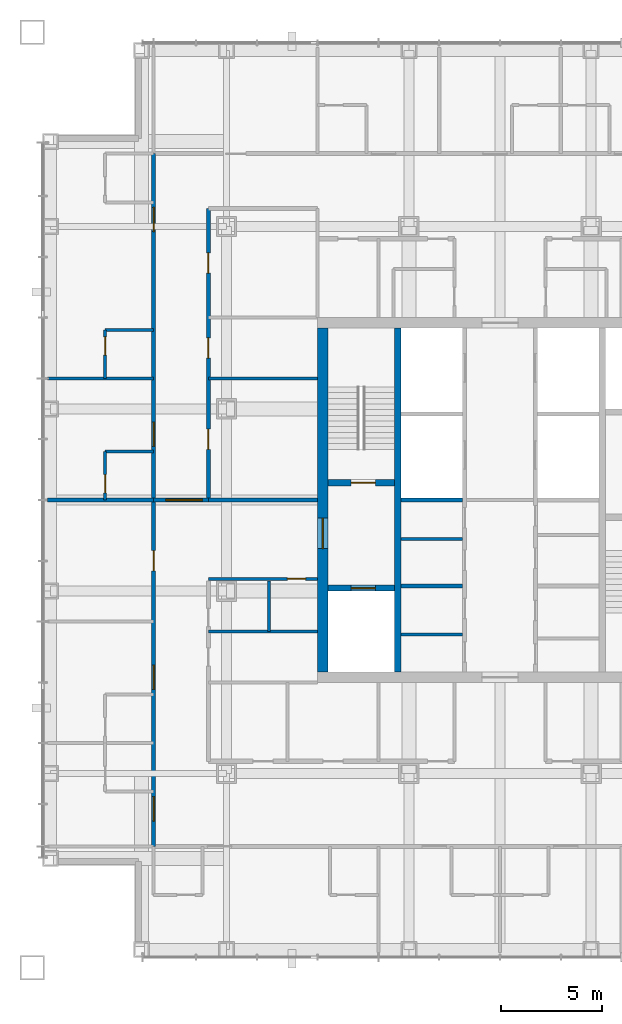
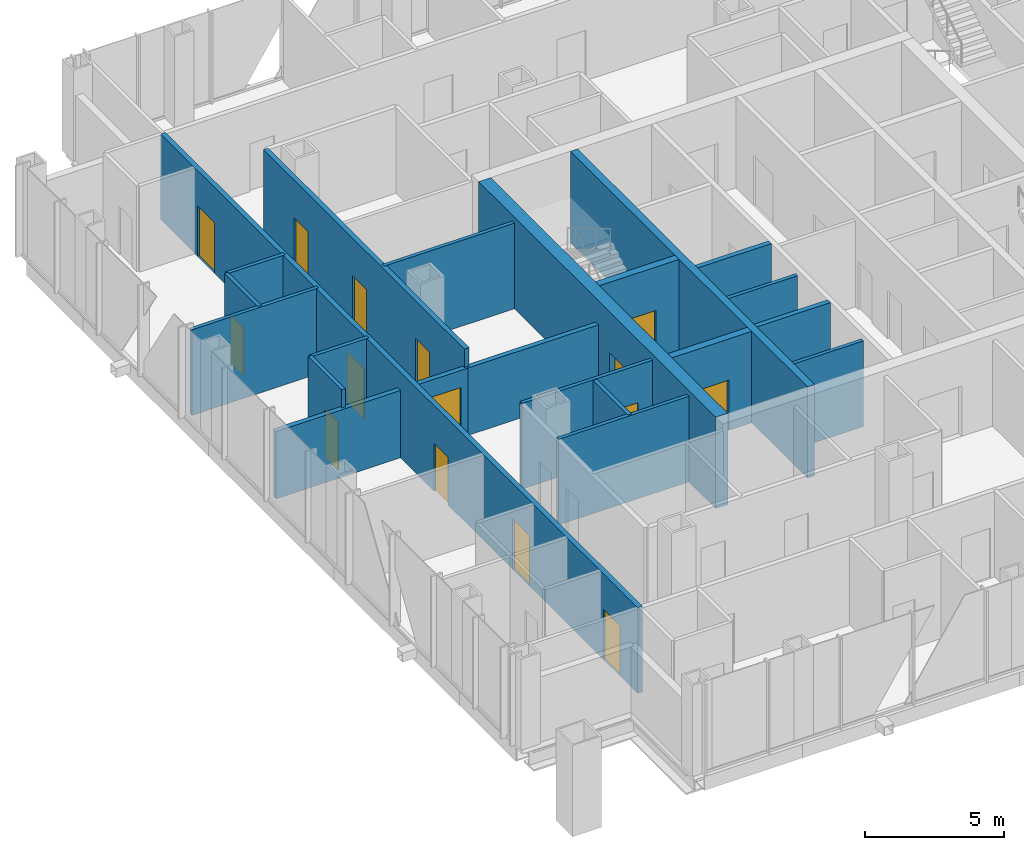
# One storey, part 12 of 21: 22 walls, 15 doors, 15 openings.
"""IFC4 building model written with IfcOpenShell, lengths in metres."""

from ifc_helpers import new_model, si_unit, direction, frame, frame_2d, origin, place, context, subcontext, project, spatial, rectangle, extrude, material, layer, layer_set, type_object, element, fill, save


model = new_model("IFC4")

# Units and contexts
model_context = context("Model", 3, precision=1e-05, world=origin(), true_north=direction((0.0, 1.0)))
body_context = subcontext(model_context, "Body", "Model", "MODEL_VIEW")
ifc_project = project(units=[si_unit("LENGTHUNIT", "METRE"), si_unit("AREAUNIT", "SQUARE_METRE"), si_unit("VOLUMEUNIT", "CUBIC_METRE"), si_unit("PLANEANGLEUNIT", "RADIAN"), si_unit("MASSUNIT", "GRAM", prefix="KILO")], contexts=[model_context])

# Site, building, storey
site_placement = place(None, origin())
site = spatial("IfcSite", under=ifc_project, at=site_placement, CompositionType="ELEMENT")
building_placement = place(site_placement, origin())
building = spatial("IfcBuilding", under=site, at=building_placement, Name="Malebo Sky Hospital", CompositionType="ELEMENT")
storey_placement = place(building_placement, frame((0.0, 0.0, 229.0)))
storey = spatial("IfcBuildingStorey", under=building, at=storey_placement, Name="L55", CompositionType="ELEMENT", Elevation=229.0)

# Walls
ifc_material_1 = material(Name="Concrete C80/95", Category="concrete")
ifc_layer_1 = layer(ifc_material_1, 0.199951171875)
ifc_layer_set_1 = layer_set([ifc_layer_1], Name="CORE INNER WALL 200")
wall_type_1 = type_object("IfcWallType", Name="CORE INNER WALL 200", PredefinedType="SHEAR", material=ifc_layer_set_1)
for number, where, z_axis, x_axis, name in (
    (1, (55.10009765625, 57.75, 0.0), (0.0, 0.0, 1.0), (1.0, 0.0, 0.0), "Core wall SW0 L55"),
    (2, (55.10009765625, 62.0, 0.0), (0.0, 0.0, 1.0), (1.0, 0.0, 0.0), "Core wall SW1 L55"),
):
    element("IfcWall", number, at=place(storey_placement, frame(where, z_axis=z_axis, x_axis=x_axis)), inside=storey, type_object=wall_type_1, Name=name, PredefinedType="SHEAR", context=body_context, shape_type="SweptSolid", body=[
        extrude(rectangle(XDim=3.0498046875, YDim=0.199951171875, at=frame_2d((1.52490234375, 0.0))), origin(), (0.0, 0.0, 1.0), 4.0),
    ])
ifc_layer_2 = layer(ifc_material_1, 0.300048828125)
ifc_layer_set_2 = layer_set([ifc_layer_2], Name="CORE INNER WALL 300")
wall_type_2 = type_object("IfcWallType", Name="CORE INNER WALL 300", PredefinedType="SHEAR", material=ifc_layer_set_2)
wall_1_placement = place(storey_placement, frame((54.949951171875, 53.5, 0.0), z_axis=(0.0, 0.0, 1.0), x_axis=(0.0, 1.0, 0.0)))
element("IfcWall", 3, at=wall_1_placement, inside=storey, type_object=wall_type_2, Name="Core wall XW L55", PredefinedType="SHEAR", context=body_context, shape_type="SweptSolid", body=[
    extrude(rectangle(XDim=17.0, YDim=0.300048828125, at=frame_2d((8.5, 0.0))), origin(), (0.0, 0.0, 1.0), 4.0),
])

# Wall, opening, door
wall_2_placement = place(storey_placement, frame((51.5, 62.85009765625, 0.0), z_axis=(0.0, 0.0, 1.0), x_axis=(1.0, 0.0, 0.0)))
wall_2 = element("IfcWall", 4, at=wall_2_placement, inside=storey, type_object=wall_type_2, Name="Core wall W1 L55", PredefinedType="SHEAR", context=body_context, shape_type="SweptSolid", body=[
    extrude(rectangle(XDim=3.300048828125, YDim=0.300048828125, at=frame_2d((1.64990234375, 0.0))), origin(), (0.0, 0.0, 1.0), 4.0),
])
opening_1_placement = place(wall_2_placement, frame((1.14990234375, 0.0, 0.0)))
opening_1 = element("IfcOpeningElement", 5, at=opening_1_placement, cuts=wall_2, Name="Opening D08", PredefinedType="OPENING", context=body_context, shape_type="SweptSolid", body=[
    extrude(rectangle(XDim=1.199951171875, YDim=2.10009765625, at=frame_2d((0.60009765625, 1.050048828125))), frame((0.0, 0.159912109375, 0.0), z_axis=(0.0, -1.0, 0.0), x_axis=(1.0, 0.0, 0.0)), (0.0, 0.0, 1.0), 0.320068359375),
])
ifc_material_2 = material(Name="Hardwood-faced door leaf in steel frame", Category="steel")
door_type_1 = type_object("IfcDoorType", Name="STAIR DOOR 1200", OperationType="SINGLE_SWING_LEFT", PredefinedType="DOOR", material=ifc_material_2)
door_1_placement = place(opening_1_placement, origin())
door_1 = element("IfcDoor", 6, at=door_1_placement, inside=storey, type_object=door_type_1, Name="Stair S1 door", OperationType="SINGLE_SWING_RIGHT", OverallHeight=2.10009765625, OverallWidth=1.199951171875, PredefinedType="DOOR", context=body_context, shape_type="SweptSolid", body=[
    extrude(rectangle(XDim=1.199951171875, YDim=2.10009765625, at=frame_2d((0.60009765625, 1.050048828125))), frame((0.0, 0.02490234375, 0.0), z_axis=(0.0, -1.0, 0.0), x_axis=(1.0, 0.0, 0.0)), (0.0, 0.0, 1.0), 0.050048828125),
])
fill(opening_1, door_1)

wall_3_placement = place(storey_placement, frame((51.5, 57.64990234375, 0.0), z_axis=(0.0, 0.0, 1.0), x_axis=(1.0, 0.0, 0.0)))
wall_3 = element("IfcWall", 7, at=wall_3_placement, inside=storey, type_object=wall_type_2, Name="Core wall W2 L55", PredefinedType="SHEAR", context=body_context, shape_type="SweptSolid", body=[
    extrude(rectangle(XDim=3.300048828125, YDim=0.300048828125, at=frame_2d((1.64990234375, 0.0))), origin(), (0.0, 0.0, 1.0), 4.0),
])
opening_2_placement = place(wall_3_placement, frame((1.14990234375, 0.0, 0.0)))
opening_2 = element("IfcOpeningElement", 8, at=opening_2_placement, cuts=wall_3, Name="Opening LD2", PredefinedType="OPENING", context=body_context, shape_type="SweptSolid", body=[
    extrude(rectangle(XDim=1.199951171875, YDim=2.199951171875, at=frame_2d((0.60009765625, 1.10009765625))), frame((0.0, 0.159912109375, 0.0), z_axis=(0.0, -1.0, 0.0), x_axis=(1.0, 0.0, 0.0)), (0.0, 0.0, 1.0), 0.320068359375),
])
ifc_material_3 = material(Name="Stainless steel sliding landing door", Category="steel")
door_type_2 = type_object("IfcDoorType", Name="FIRE-FIGHTING LIFT LANDING DOOR 1200", OperationType="SLIDING_TO_LEFT", PredefinedType="DOOR", material=ifc_material_3)
door_2_placement = place(opening_2_placement, origin())
door_2 = element("IfcDoor", 9, at=door_2_placement, inside=storey, type_object=door_type_2, Name="Lift FL1 landing door", OperationType="SLIDING_TO_LEFT", OverallHeight=2.199951171875, OverallWidth=1.199951171875, PredefinedType="DOOR", context=body_context, shape_type="SweptSolid", body=[
    extrude(rectangle(XDim=1.199951171875, YDim=2.199951171875, at=frame_2d((0.60009765625, 1.10009765625))), frame((0.0, 0.02490234375, 0.0), z_axis=(0.0, -1.0, 0.0), x_axis=(1.0, 0.0, 0.0)), (0.0, 0.0, 1.0), 0.050048828125),
])
fill(opening_2, door_2)

ifc_layer_3 = layer(ifc_material_1, 0.5)
ifc_layer_set_3 = layer_set([ifc_layer_3], Name="CORE WALL 500")
wall_type_3 = type_object("IfcWallType", Name="CORE WALL 500", PredefinedType="SHEAR", material=ifc_layer_set_3)
wall_4_placement = place(storey_placement, frame((51.25, 53.5, 0.0), z_axis=(0.0, 0.0, 1.0), x_axis=(0.0, 1.0, 0.0)))
wall_4 = element("IfcWall", 10, at=wall_4_placement, inside=storey, type_object=wall_type_3, Name="Core wall W L55", PredefinedType="SHEAR", context=body_context, shape_type="SweptSolid", body=[
    extrude(rectangle(XDim=17.0, YDim=0.5, at=frame_2d((8.5, 0.0))), origin(), (0.0, 0.0, 1.0), 4.0),
])
opening_3_placement = place(wall_4_placement, frame((6.10009765625, 0.0, 0.0)))
opening_3 = element("IfcOpeningElement", 11, at=opening_3_placement, cuts=wall_4, Name="Opening D07", PredefinedType="OPENING", context=body_context, shape_type="SweptSolid", body=[
    extrude(rectangle(XDim=1.5, YDim=2.199951171875, at=frame_2d((0.75, 1.10009765625))), frame((0.0, 0.260009765625, 0.0), z_axis=(0.0, -1.0, 0.0), x_axis=(1.0, 0.0, 0.0)), (0.0, 0.0, 1.0), 0.52001953125),
])
door_type_3 = type_object("IfcDoorType", Name="FIRE-FIGHTING LOBBY DOOR PAIR 1500", OperationType="DOUBLE_DOOR_SINGLE_SWING", PredefinedType="DOOR", material=ifc_material_2)
door_3_placement = place(opening_3_placement, origin())
door_3 = element("IfcDoor", 12, at=door_3_placement, inside=storey, type_object=door_type_3, Name="Fire-fighting lobby door west", OperationType="DOUBLE_DOOR_SINGLE_SWING", OverallHeight=2.199951171875, OverallWidth=1.5, PredefinedType="DOOR", context=body_context, shape_type="SweptSolid", body=[
    extrude(rectangle(XDim=1.5, YDim=2.199951171875, at=frame_2d((0.75, 1.10009765625))), frame((0.0, 0.02490234375, 0.0), z_axis=(0.0, -1.0, 0.0), x_axis=(1.0, 0.0, 0.0)), (0.0, 0.0, 1.0), 0.050048828125),
])
fill(opening_3, door_3)

# Wall, openings, doors
ifc_material_4 = material(Name="Gypsum board on steel studs", Category="steel")
ifc_layer_4 = layer(ifc_material_4, 0.199951171875)
ifc_layer_set_4 = layer_set([ifc_layer_4], Name="CORRIDOR WALL 200")
wall_type_4 = type_object("IfcWallType", Name="CORRIDOR WALL 200", PredefinedType="PARTITIONING", material=ifc_layer_set_4)
wall_5_placement = place(storey_placement, frame((42.89990234375, 44.89990234375, 0.0), z_axis=(0.0, 0.0, 1.0), x_axis=(0.0, 1.0, 0.0)))
wall_5 = element("IfcWall", 13, at=wall_5_placement, inside=storey, type_object=wall_type_4, Name="Corridor Wall 200 WCO", PredefinedType="PARTITIONING", context=body_context, shape_type="SweptSolid", body=[
    extrude(rectangle(XDim=34.2001953125, YDim=0.199951171875, at=frame_2d((17.10009765625, 0.0))), origin(), (0.0, 0.0, 1.0), 3.75),
])
opening_4_placement = place(wall_5_placement, frame((1.25, 0.0, 0.0)))
opening_4 = element("IfcOpeningElement", 14, at=opening_4_placement, cuts=wall_5, Name="Opening D01", PredefinedType="OPENING", context=body_context, shape_type="SweptSolid", body=[
    extrude(rectangle(XDim=1.199951171875, YDim=2.199951171875, at=frame_2d((0.60009765625, 1.10009765625))), frame((0.0, 0.10986328125, 0.0), z_axis=(0.0, -1.0, 0.0), x_axis=(1.0, 0.0, 0.0)), (0.0, 0.0, 1.0), 0.219970703125),
])
opening_5_placement = place(wall_5_placement, frame((7.75, 0.0, 0.0)))
opening_5 = element("IfcOpeningElement", 15, at=opening_5_placement, cuts=wall_5, Name="Opening D01", PredefinedType="OPENING", context=body_context, shape_type="SweptSolid", body=[
    extrude(rectangle(XDim=1.199951171875, YDim=2.199951171875, at=frame_2d((0.60009765625, 1.10009765625))), frame((0.0, 0.10986328125, 0.0), z_axis=(0.0, -1.0, 0.0), x_axis=(1.0, 0.0, 0.0)), (0.0, 0.0, 1.0), 0.219970703125),
])
opening_6_placement = place(wall_5_placement, frame((13.60009765625, 0.0, 0.0)))
opening_6 = element("IfcOpeningElement", 16, at=opening_6_placement, cuts=wall_5, Name="Opening D03", PredefinedType="OPENING", context=body_context, shape_type="SweptSolid", body=[
    extrude(rectangle(XDim=1.0, YDim=2.10009765625, at=frame_2d((0.5, 1.050048828125))), frame((0.0, 0.10986328125, 0.0), z_axis=(0.0, -1.0, 0.0), x_axis=(1.0, 0.0, 0.0)), (0.0, 0.0, 1.0), 0.219970703125),
])
opening_7_placement = place(wall_5_placement, frame((19.75, 0.0, 0.0)))
opening_7 = element("IfcOpeningElement", 17, at=opening_7_placement, cuts=wall_5, Name="Opening D01", PredefinedType="OPENING", context=body_context, shape_type="SweptSolid", body=[
    extrude(rectangle(XDim=1.199951171875, YDim=2.199951171875, at=frame_2d((0.60009765625, 1.10009765625))), frame((0.0, 0.10986328125, 0.0), z_axis=(0.0, -1.0, 0.0), x_axis=(1.0, 0.0, 0.0)), (0.0, 0.0, 1.0), 0.219970703125),
])
opening_8_placement = place(wall_5_placement, frame((30.35009765625, 0.0, 0.0)))
opening_8 = element("IfcOpeningElement", 18, at=opening_8_placement, cuts=wall_5, Name="Opening D01", PredefinedType="OPENING", context=body_context, shape_type="SweptSolid", body=[
    extrude(rectangle(XDim=1.199951171875, YDim=2.199951171875, at=frame_2d((0.60009765625, 1.10009765625))), frame((0.0, 0.10986328125, 0.0), z_axis=(0.0, -1.0, 0.0), x_axis=(1.0, 0.0, 0.0)), (0.0, 0.0, 1.0), 0.219970703125),
])
door_type_4 = type_object("IfcDoorType", Name="BED DOOR 1200", OperationType="SINGLE_SWING_LEFT", PredefinedType="DOOR", material=ifc_material_2)
door_4_placement = place(opening_4_placement, origin())
door_4 = element("IfcDoor", 19, at=door_4_placement, inside=storey, type_object=door_type_4, Name="Single bed room door", OperationType="SINGLE_SWING_RIGHT", OverallHeight=2.199951171875, OverallWidth=1.199951171875, PredefinedType="DOOR", context=body_context, shape_type="SweptSolid", body=[
    extrude(rectangle(XDim=1.199951171875, YDim=2.199951171875, at=frame_2d((0.60009765625, 1.10009765625))), frame((0.0, 0.02490234375, 0.0), z_axis=(0.0, -1.0, 0.0), x_axis=(1.0, 0.0, 0.0)), (0.0, 0.0, 1.0), 0.050048828125),
])
fill(opening_4, door_4)
door_5_placement = place(opening_5_placement, origin())
door_5 = element("IfcDoor", 20, at=door_5_placement, inside=storey, type_object=door_type_4, Name="Single bed room door", OperationType="SINGLE_SWING_LEFT", OverallHeight=2.199951171875, OverallWidth=1.199951171875, PredefinedType="DOOR", context=body_context, shape_type="SweptSolid", body=[
    extrude(rectangle(XDim=1.199951171875, YDim=2.199951171875, at=frame_2d((0.60009765625, 1.10009765625))), frame((0.0, 0.02490234375, 0.0), z_axis=(0.0, -1.0, 0.0), x_axis=(1.0, 0.0, 0.0)), (0.0, 0.0, 1.0), 0.050048828125),
])
fill(opening_5, door_5)
door_6_placement = place(opening_7_placement, origin())
door_6 = element("IfcDoor", 21, at=door_6_placement, inside=storey, type_object=door_type_4, Name="Parent room door", OperationType="SINGLE_SWING_LEFT", OverallHeight=2.199951171875, OverallWidth=1.199951171875, PredefinedType="DOOR", context=body_context, shape_type="SweptSolid", body=[
    extrude(rectangle(XDim=1.199951171875, YDim=2.199951171875, at=frame_2d((0.60009765625, 1.10009765625))), frame((0.0, 0.02490234375, 0.0), z_axis=(0.0, -1.0, 0.0), x_axis=(1.0, 0.0, 0.0)), (0.0, 0.0, 1.0), 0.050048828125),
])
fill(opening_7, door_6)
door_7_placement = place(opening_8_placement, origin())
door_7 = element("IfcDoor", 22, at=door_7_placement, inside=storey, type_object=door_type_4, Name="Four-bed bay door", OperationType="SINGLE_SWING_RIGHT", OverallHeight=2.199951171875, OverallWidth=1.199951171875, PredefinedType="DOOR", context=body_context, shape_type="SweptSolid", body=[
    extrude(rectangle(XDim=1.199951171875, YDim=2.199951171875, at=frame_2d((0.60009765625, 1.10009765625))), frame((0.0, 0.02490234375, 0.0), z_axis=(0.0, -1.0, 0.0), x_axis=(1.0, 0.0, 0.0)), (0.0, 0.0, 1.0), 0.050048828125),
])
fill(opening_8, door_7)
door_type_5 = type_object("IfcDoorType", Name="ROOM DOOR 1000", OperationType="SINGLE_SWING_LEFT", PredefinedType="DOOR", material=ifc_material_2)
door_8_placement = place(opening_6_placement, origin())
door_8 = element("IfcDoor", 23, at=door_8_placement, inside=storey, type_object=door_type_5, Name="Quiet room door", OperationType="SINGLE_SWING_RIGHT", OverallHeight=2.10009765625, OverallWidth=1.0, PredefinedType="DOOR", context=body_context, shape_type="SweptSolid", body=[
    extrude(rectangle(XDim=1.0, YDim=2.10009765625, at=frame_2d((0.5, 1.050048828125))), frame((0.0, 0.02490234375, 0.0), z_axis=(0.0, -1.0, 0.0), x_axis=(1.0, 0.0, 0.0)), (0.0, 0.0, 1.0), 0.050048828125),
])
fill(opening_6, door_8)

wall_6_placement = place(storey_placement, frame((45.60009765625, 62.0, 0.0), z_axis=(0.0, 0.0, 1.0), x_axis=(0.0, 1.0, 0.0)))
wall_6 = element("IfcWall", 24, at=wall_6_placement, inside=storey, type_object=wall_type_4, Name="Corridor Wall 200 WCI2", PredefinedType="PARTITIONING", context=body_context, shape_type="SweptSolid", body=[
    extrude(rectangle(XDim=14.39990234375, YDim=0.199951171875, at=frame_2d((7.199951171875, 0.0))), origin(), (0.0, 0.0, 1.0), 3.75),
])
opening_9_placement = place(wall_6_placement, frame((2.5, 0.0, 0.0)))
opening_9 = element("IfcOpeningElement", 25, at=opening_9_placement, cuts=wall_6, Name="Opening D03", PredefinedType="OPENING", context=body_context, shape_type="SweptSolid", body=[
    extrude(rectangle(XDim=1.0, YDim=2.10009765625, at=frame_2d((0.5, 1.050048828125))), frame((0.0, 0.10986328125, 0.0), z_axis=(0.0, -1.0, 0.0), x_axis=(1.0, 0.0, 0.0)), (0.0, 0.0, 1.0), 0.219970703125),
])
opening_10_placement = place(wall_6_placement, frame((7.0, 0.0, 0.0)))
opening_10 = element("IfcOpeningElement", 26, at=opening_10_placement, cuts=wall_6, Name="Opening D03", PredefinedType="OPENING", context=body_context, shape_type="SweptSolid", body=[
    extrude(rectangle(XDim=1.0, YDim=2.10009765625, at=frame_2d((0.5, 1.050048828125))), frame((0.0, 0.10986328125, 0.0), z_axis=(0.0, -1.0, 0.0), x_axis=(1.0, 0.0, 0.0)), (0.0, 0.0, 1.0), 0.219970703125),
])
opening_11_placement = place(wall_6_placement, frame((11.199951171875, 0.0, 0.0)))
opening_11 = element("IfcOpeningElement", 27, at=opening_11_placement, cuts=wall_6, Name="Opening D03", PredefinedType="OPENING", context=body_context, shape_type="SweptSolid", body=[
    extrude(rectangle(XDim=1.0, YDim=2.10009765625, at=frame_2d((0.5, 1.050048828125))), frame((0.0, 0.10986328125, 0.0), z_axis=(0.0, -1.0, 0.0), x_axis=(1.0, 0.0, 0.0)), (0.0, 0.0, 1.0), 0.219970703125),
])
door_9_placement = place(opening_9_placement, origin())
door_9 = element("IfcDoor", 28, at=door_9_placement, inside=storey, type_object=door_type_5, Name="Nurse station door", OperationType="SINGLE_SWING_LEFT", OverallHeight=2.10009765625, OverallWidth=1.0, PredefinedType="DOOR", context=body_context, shape_type="SweptSolid", body=[
    extrude(rectangle(XDim=1.0, YDim=2.10009765625, at=frame_2d((0.5, 1.050048828125))), frame((0.0, 0.02490234375, 0.0), z_axis=(0.0, -1.0, 0.0), x_axis=(1.0, 0.0, 0.0)), (0.0, 0.0, 1.0), 0.050048828125),
])
fill(opening_9, door_9)
door_10_placement = place(opening_10_placement, origin())
door_10 = element("IfcDoor", 29, at=door_10_placement, inside=storey, type_object=door_type_5, Name="Play room door", OperationType="SINGLE_SWING_LEFT", OverallHeight=2.10009765625, OverallWidth=1.0, PredefinedType="DOOR", context=body_context, shape_type="SweptSolid", body=[
    extrude(rectangle(XDim=1.0, YDim=2.10009765625, at=frame_2d((0.5, 1.050048828125))), frame((0.0, 0.02490234375, 0.0), z_axis=(0.0, -1.0, 0.0), x_axis=(1.0, 0.0, 0.0)), (0.0, 0.0, 1.0), 0.050048828125),
])
fill(opening_10, door_10)
door_11_placement = place(opening_11_placement, origin())
door_11 = element("IfcDoor", 30, at=door_11_placement, inside=storey, type_object=door_type_5, Name="Treatment room door", OperationType="SINGLE_SWING_RIGHT", OverallHeight=2.10009765625, OverallWidth=1.0, PredefinedType="DOOR", context=body_context, shape_type="SweptSolid", body=[
    extrude(rectangle(XDim=1.0, YDim=2.10009765625, at=frame_2d((0.5, 1.050048828125))), frame((0.0, 0.02490234375, 0.0), z_axis=(0.0, -1.0, 0.0), x_axis=(1.0, 0.0, 0.0)), (0.0, 0.0, 1.0), 0.050048828125),
])
fill(opening_11, door_11)

# Wall
ifc_layer_5 = layer(ifc_material_4, 0.14990234375)
ifc_layer_set_5 = layer_set([ifc_layer_5], Name="PARTITION 150")
wall_type_5 = type_object("IfcWallType", Name="PARTITION 150", PredefinedType="PARTITIONING", material=ifc_layer_set_5)
wall_7_placement = place(storey_placement, frame((42.89990234375, 68.0, 0.0), z_axis=(0.0, 0.0, 1.0), x_axis=(-1.0, 0.0, 0.0)))
element("IfcWall", 31, at=wall_7_placement, inside=storey, type_object=wall_type_5, Name="Partition 150 WP+6.0", PredefinedType="PARTITIONING", context=body_context, shape_type="SweptSolid", body=[
    extrude(rectangle(XDim=5.25, YDim=0.14990234375, at=frame_2d((2.625, 0.0))), origin(), (0.0, 0.0, 1.0), 3.75),
])

# Wall, opening, door
wall_8_placement = place(storey_placement, frame((40.5, 62.0, 0.0), z_axis=(0.0, 0.0, 1.0), x_axis=(0.0, 1.0, 0.0)))
wall_8 = element("IfcWall", 32, at=wall_8_placement, inside=storey, type_object=wall_type_5, Name="Partition 150 WE3F", PredefinedType="PARTITIONING", context=body_context, shape_type="SweptSolid", body=[
    extrude(rectangle(XDim=2.39990234375, YDim=0.14990234375, at=frame_2d((1.199951171875, 0.0))), origin(), (0.0, 0.0, 1.0), 3.75),
])
opening_12_placement = place(wall_8_placement, frame((0.35009765625, 0.0, 0.0)))
opening_12 = element("IfcOpeningElement", 33, at=opening_12_placement, cuts=wall_8, Name="Opening D02", PredefinedType="OPENING", context=body_context, shape_type="SweptSolid", body=[
    extrude(rectangle(XDim=0.89990234375, YDim=2.10009765625, at=frame_2d((0.449951171875, 1.050048828125))), frame((0.0, 0.0849609375, 0.0), z_axis=(0.0, -1.0, 0.0), x_axis=(1.0, 0.0, 0.0)), (0.0, 0.0, 1.0), 0.169921875),
])
door_type_6 = type_object("IfcDoorType", Name="EN-SUITE DOOR 900", OperationType="SINGLE_SWING_LEFT", PredefinedType="DOOR", material=ifc_material_2)
door_12_placement = place(opening_12_placement, origin())
door_12 = element("IfcDoor", 34, at=door_12_placement, inside=storey, type_object=door_type_6, Name="En-suite door", OperationType="SINGLE_SWING_LEFT", OverallHeight=2.10009765625, OverallWidth=0.89990234375, PredefinedType="DOOR", context=body_context, shape_type="SweptSolid", body=[
    extrude(rectangle(XDim=0.89990234375, YDim=2.10009765625, at=frame_2d((0.449951171875, 1.050048828125))), frame((0.0, 0.02490234375, 0.0), z_axis=(0.0, -1.0, 0.0), x_axis=(1.0, 0.0, 0.0)), (0.0, 0.0, 1.0), 0.050048828125),
])
fill(opening_12, door_12)

# Wall
wall_9_placement = place(storey_placement, frame((42.89990234375, 64.39990234375, 0.0), z_axis=(0.0, 0.0, 1.0), x_axis=(-1.0, 0.0, 0.0)))
element("IfcWall", 35, at=wall_9_placement, inside=storey, type_object=wall_type_5, Name="Partition 150 WE3S", PredefinedType="PARTITIONING", context=body_context, shape_type="SweptSolid", body=[
    extrude(rectangle(XDim=2.39990234375, YDim=0.14990234375, at=frame_2d((1.199951171875, 0.0))), origin(), (0.0, 0.0, 1.0), 3.75),
])

# Wall, opening, door
wall_10_placement = place(storey_placement, frame((40.5, 68.0, 0.0), z_axis=(0.0, 0.0, 1.0), x_axis=(0.0, 1.0, 0.0)))
wall_10 = element("IfcWall", 36, at=wall_10_placement, inside=storey, type_object=wall_type_5, Name="Partition 150 WG4F", PredefinedType="PARTITIONING", context=body_context, shape_type="SweptSolid", body=[
    extrude(rectangle(XDim=2.39990234375, YDim=0.14990234375, at=frame_2d((1.199951171875, 0.0))), origin(), (0.0, 0.0, 1.0), 3.75),
])
opening_13_placement = place(wall_10_placement, frame((1.14990234375, 0.0, 0.0)))
opening_13 = element("IfcOpeningElement", 37, at=opening_13_placement, cuts=wall_10, Name="Opening D02", PredefinedType="OPENING", context=body_context, shape_type="SweptSolid", body=[
    extrude(rectangle(XDim=0.89990234375, YDim=2.10009765625, at=frame_2d((0.449951171875, 1.050048828125))), frame((0.0, 0.0849609375, 0.0), z_axis=(0.0, -1.0, 0.0), x_axis=(1.0, 0.0, 0.0)), (0.0, 0.0, 1.0), 0.169921875),
])
door_13_placement = place(opening_13_placement, origin())
door_13 = element("IfcDoor", 38, at=door_13_placement, inside=storey, type_object=door_type_6, Name="En-suite door", OperationType="SINGLE_SWING_RIGHT", OverallHeight=2.10009765625, OverallWidth=0.89990234375, PredefinedType="DOOR", context=body_context, shape_type="SweptSolid", body=[
    extrude(rectangle(XDim=0.89990234375, YDim=2.10009765625, at=frame_2d((0.449951171875, 1.050048828125))), frame((0.0, 0.02490234375, 0.0), z_axis=(0.0, -1.0, 0.0), x_axis=(1.0, 0.0, 0.0)), (0.0, 0.0, 1.0), 0.050048828125),
])
fill(opening_13, door_13)

# Wall
wall_11_placement = place(storey_placement, frame((42.89990234375, 70.39990234375, 0.0), z_axis=(0.0, 0.0, 1.0), x_axis=(-1.0, 0.0, 0.0)))
element("IfcWall", 39, at=wall_11_placement, inside=storey, type_object=wall_type_5, Name="Partition 150 WG4S", PredefinedType="PARTITIONING", context=body_context, shape_type="SweptSolid", body=[
    extrude(rectangle(XDim=2.39990234375, YDim=0.14990234375, at=frame_2d((1.199951171875, 0.0))), origin(), (0.0, 0.0, 1.0), 3.75),
])

# Wall, opening, door
wall_12_placement = place(storey_placement, frame((51.0, 58.10009765625, 0.0), z_axis=(0.0, 0.0, 1.0), x_axis=(-1.0, 0.0, 0.0)))
wall_12 = element("IfcWall", 40, at=wall_12_placement, inside=storey, type_object=wall_type_5, Name="Partition 150 WSPA", PredefinedType="PARTITIONING", context=body_context, shape_type="SweptSolid", body=[
    extrude(rectangle(XDim=5.39990234375, YDim=0.14990234375, at=frame_2d((2.699951171875, 0.0))), origin(), (0.0, 0.0, 1.0), 3.75),
])
opening_14_placement = place(wall_12_placement, frame((0.60009765625, 0.0, 0.0)))
opening_14 = element("IfcOpeningElement", 41, at=opening_14_placement, cuts=wall_12, Name="Opening D04", PredefinedType="OPENING", context=body_context, shape_type="SweptSolid", body=[
    extrude(rectangle(XDim=0.89990234375, YDim=2.10009765625, at=frame_2d((0.449951171875, 1.050048828125))), frame((0.0, 0.0849609375, 0.0), z_axis=(0.0, -1.0, 0.0), x_axis=(1.0, 0.0, 0.0)), (0.0, 0.0, 1.0), 0.169921875),
])
door_type_7 = type_object("IfcDoorType", Name="ROOM DOOR 900", OperationType="SINGLE_SWING_LEFT", PredefinedType="DOOR", material=ifc_material_2)
door_14_placement = place(opening_14_placement, origin())
door_14 = element("IfcDoor", 42, at=door_14_placement, inside=storey, type_object=door_type_7, Name="Cleaner's room door", OperationType="SINGLE_SWING_LEFT", OverallHeight=2.10009765625, OverallWidth=0.89990234375, PredefinedType="DOOR", context=body_context, shape_type="SweptSolid", body=[
    extrude(rectangle(XDim=0.89990234375, YDim=2.10009765625, at=frame_2d((0.449951171875, 1.050048828125))), frame((0.0, 0.02490234375, 0.0), z_axis=(0.0, -1.0, 0.0), x_axis=(1.0, 0.0, 0.0)), (0.0, 0.0, 1.0), 0.050048828125),
])
fill(opening_14, door_14)

# Walls
for number, where, z_axis, x_axis, name in (
    (43, (51.0, 55.5, 0.0), (0.0, 0.0, 1.0), (-1.0, 0.0, 0.0), "Partition 150 WSP-6.5"),
    (44, (51.0, 68.0, 0.0), (0.0, 0.0, 1.0), (-1.0, 0.0, 0.0), "Partition 150 WSP+6.0"),
):
    element("IfcWall", number, at=place(storey_placement, frame(where, z_axis=z_axis, x_axis=x_axis)), inside=storey, type_object=wall_type_5, Name=name, PredefinedType="PARTITIONING", context=body_context, shape_type="SweptSolid", body=[
        extrude(rectangle(XDim=5.39990234375, YDim=0.14990234375, at=frame_2d((2.699951171875, 0.0))), origin(), (0.0, 0.0, 1.0), 3.75),
    ])
wall_13_placement = place(storey_placement, frame((48.60009765625, 55.5, 0.0), z_axis=(0.0, 0.0, 1.0), x_axis=(0.0, 1.0, 0.0)))
element("IfcWall", 45, at=wall_13_placement, inside=storey, type_object=wall_type_5, Name="Partition 150 WSX1", PredefinedType="PARTITIONING", context=body_context, shape_type="SweptSolid", body=[
    extrude(rectangle(XDim=2.5, YDim=0.14990234375, at=frame_2d((1.25, 0.0))), origin(), (0.0, 0.0, 1.0), 3.75),
])
for number, where, z_axis, x_axis, name in (
    (46, (55.10009765625, 55.366943359375, 0.0), (0.0, 0.0, 1.0), (1.0, 0.0, 0.0), "Partition 150 SHW1"),
    (47, (55.10009765625, 60.077880859375, 0.0), (0.0, 0.0, 1.0), (1.0, 0.0, 0.0), "Partition 150 SHW2"),
):
    element("IfcWall", number, at=place(storey_placement, frame(where, z_axis=z_axis, x_axis=x_axis)), inside=storey, type_object=wall_type_5, Name=name, PredefinedType="PARTITIONING", context=body_context, shape_type="SweptSolid", body=[
        extrude(rectangle(XDim=3.0498046875, YDim=0.14990234375, at=frame_2d((1.52490234375, 0.0))), origin(), (0.0, 0.0, 1.0), 3.75),
    ])
ifc_material_5 = material(Name="Concrete blockwork", Category="masonry")
ifc_layer_6 = layer(ifc_material_5, 0.199951171875)
ifc_layer_set_6 = layer_set([ifc_layer_6], Name="SMOKE BARRIER WALL 200")
wall_type_6 = type_object("IfcWallType", Name="SMOKE BARRIER WALL 200", PredefinedType="SOLIDWALL", material=ifc_layer_set_6)
wall_14_placement = place(storey_placement, frame((42.89990234375, 62.0, 0.0), z_axis=(0.0, 0.0, 1.0), x_axis=(-1.0, 0.0, 0.0)))
element("IfcWall", 48, at=wall_14_placement, inside=storey, type_object=wall_type_6, Name="Smoke Barrier Wall 200 WP+0.0", PredefinedType="SOLIDWALL", context=body_context, shape_type="SweptSolid", body=[
    extrude(rectangle(XDim=5.25, YDim=0.199951171875, at=frame_2d((2.625, 0.0))), origin(), (0.0, 0.0, 1.0), 2.949951171875),
])
wall_15_placement = place(storey_placement, frame((51.0, 62.0, 0.0), z_axis=(0.0, 0.0, 1.0), x_axis=(-1.0, 0.0, 0.0)))
element("IfcWall", 49, at=wall_15_placement, inside=storey, type_object=wall_type_6, Name="Smoke Barrier Wall 200 WSPB", PredefinedType="SOLIDWALL", context=body_context, shape_type="SweptSolid", body=[
    extrude(rectangle(XDim=5.39990234375, YDim=0.199951171875, at=frame_2d((2.699951171875, 0.0))), origin(), (0.0, 0.0, 1.0), 2.949951171875),
])

# Wall, opening, door
wall_16_placement = place(storey_placement, frame((45.60009765625, 62.0, 0.0), z_axis=(0.0, 0.0, 1.0), x_axis=(-1.0, 0.0, 0.0)))
wall_16 = element("IfcWall", 50, at=wall_16_placement, inside=storey, type_object=wall_type_6, Name="Smoke Barrier Wall 200 WSB", PredefinedType="SOLIDWALL", context=body_context, shape_type="SweptSolid", body=[
    extrude(rectangle(XDim=2.7001953125, YDim=0.199951171875, at=frame_2d((1.35009765625, 0.0))), origin(), (0.0, 0.0, 1.0), 2.949951171875),
])
opening_15_placement = place(wall_16_placement, frame((0.300048828125, 0.0, 0.0)))
opening_15 = element("IfcOpeningElement", 51, at=opening_15_placement, cuts=wall_16, Name="Opening D05", PredefinedType="OPENING", context=body_context, shape_type="SweptSolid", body=[
    extrude(rectangle(XDim=1.800048828125, YDim=2.199951171875, at=frame_2d((0.89990234375, 1.10009765625))), frame((0.0, 0.10986328125, 0.0), z_axis=(0.0, -1.0, 0.0), x_axis=(1.0, 0.0, 0.0)), (0.0, 0.0, 1.0), 0.219970703125),
])
door_type_8 = type_object("IfcDoorType", Name="SMOKE DOOR PAIR 1800", OperationType="DOUBLE_DOOR_DOUBLE_SWING", PredefinedType="DOOR", material=ifc_material_2)
door_15_placement = place(opening_15_placement, origin())
door_15 = element("IfcDoor", 52, at=door_15_placement, inside=storey, type_object=door_type_8, Name="Smoke compartment door pair", OperationType="DOUBLE_DOOR_DOUBLE_SWING", OverallHeight=2.199951171875, OverallWidth=1.800048828125, PredefinedType="DOOR", context=body_context, shape_type="SweptSolid", body=[
    extrude(rectangle(XDim=1.800048828125, YDim=2.199951171875, at=frame_2d((0.89990234375, 1.10009765625))), frame((0.0, 0.02490234375, 0.0), z_axis=(0.0, -1.0, 0.0), x_axis=(1.0, 0.0, 0.0)), (0.0, 0.0, 1.0), 0.050048828125),
])
fill(opening_15, door_15)

save(model, "model.ifc")
